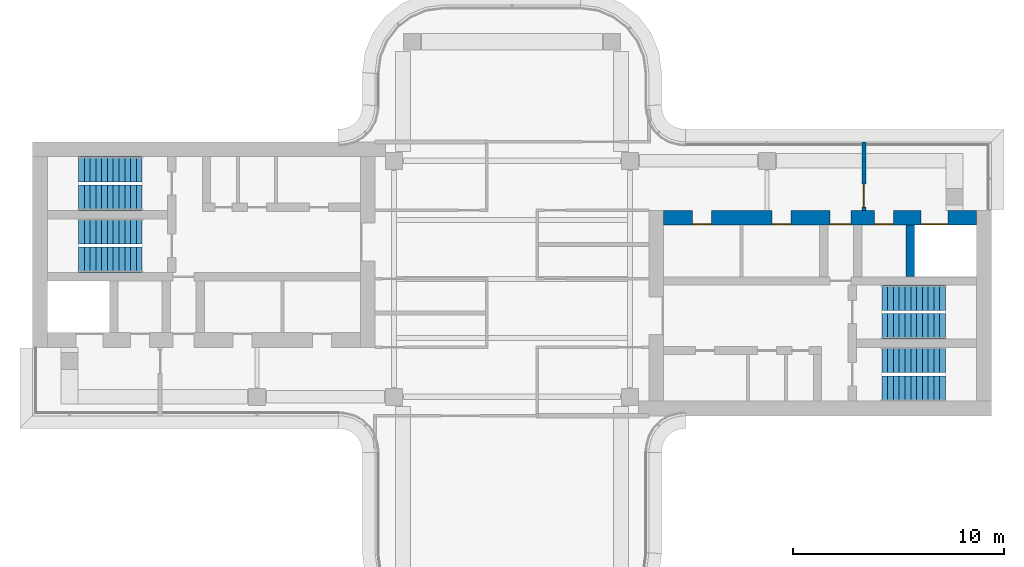
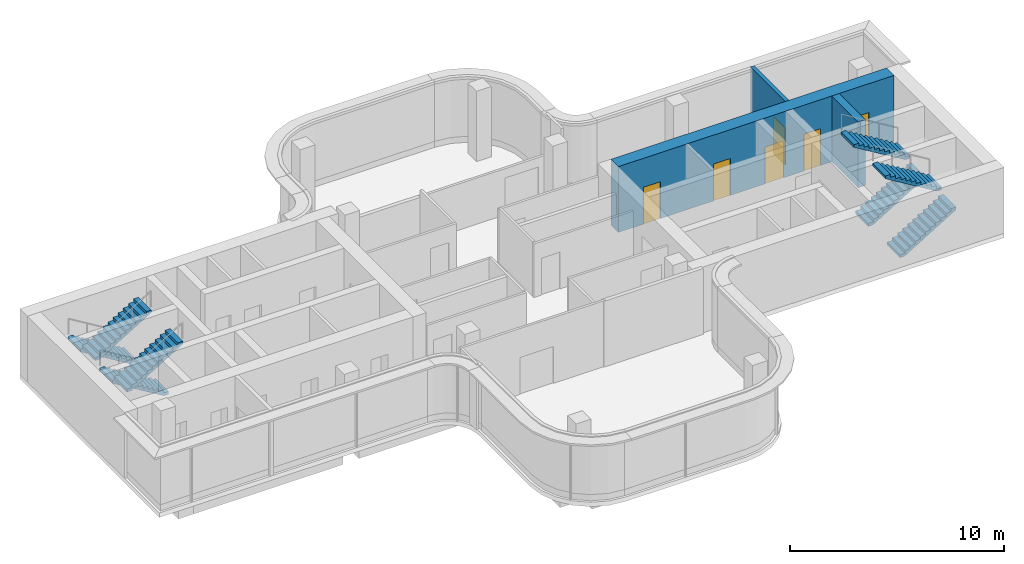
# One storey, part 9 of 10: 8 stair flights, 6 doors, 3 walls, 6 openings, 4 elements without a shape of their own.
"""IFC4 building model written with IfcOpenShell, lengths in metres."""

import ifcopenshell
import ifcopenshell.guid

model = None  # the IFC model being written
_history = None  # IfcOwnerHistory: only IFC2X3 demands one
_inside = {}  # id of a spatial element -> (the spatial element, [elements in it])
_under = {}  # id of a project, library or spatial element -> (it, [spatial elements below it])
_declared = {}  # id of a project -> (the project, [libraries it declares])
_typed = {}  # id of a type object -> (the type object, [elements of that type])
_made_of = {}  # id of a material, layer set ... -> (it, [elements and type objects made of it])


def new_model(schema):
    """Start an empty IFC model of exactly this schema.

    Asked for "IFC4X3", IfcOpenShell would pick the latest addendum, in which some entities
    have other attributes; the version numbers below select the first issue.
    IFC2X3 requires an IfcOwnerHistory on every rooted entity: one is made here for all.
    """
    global model, _history
    if schema == "IFC4X3":
        model = ifcopenshell.file(schema_version=(4, 3, 0, 0))
    else:
        model = ifcopenshell.file(schema=schema)
    _inside.clear()
    _under.clear()
    _declared.clear()
    _typed.clear()
    _made_of.clear()
    _history = None
    if model.schema == "IFC2X3":
        org = make("IfcOrganization", Name="unknown")
        user = make(
            "IfcPersonAndOrganization",
            ThePerson=make("IfcPerson", FamilyName="unknown"),
            TheOrganization=org,
        )
        app = make(
            "IfcApplication",
            ApplicationDeveloper=org,
            Version="unknown",
            ApplicationFullName="unknown",
            ApplicationIdentifier="unknown",
        )
        _history = make(
            "IfcOwnerHistory",
            OwningUser=user,
            OwningApplication=app,
            ChangeAction="ADDED",
            CreationDate=0,
        )
    return model


def make(cls, **values):
    """One entity of the class cls with the attributes given. An attribute that is None is left unset."""
    return model.create_entity(
        cls, **{name: value for name, value in values.items() if value is not None}
    )


def rooted(cls, **values):
    """An entity with a GlobalId (a new one), such as an element, a storey or a relation."""
    return make(cls, GlobalId=ifcopenshell.guid.new(), OwnerHistory=_history, **values)


def si_unit(unit_type, name, prefix=None):
    """IfcSIUnit, for example si_unit("LENGTHUNIT", "METRE", prefix="MILLI")."""
    return make("IfcSIUnit", UnitType=unit_type, Prefix=prefix, Name=name)


def assignment(units):
    """IfcUnitAssignment: the units of a project."""
    return None if units is None else make("IfcUnitAssignment", Units=units)


def point(xyz):
    """IfcCartesianPoint."""
    return None if xyz is None else make("IfcCartesianPoint", Coordinates=xyz)


def direction(xyz):
    """IfcDirection."""
    return None if xyz is None else make("IfcDirection", DirectionRatios=xyz)


def frame(location, z_axis=None, x_axis=None):
    """IfcAxis2Placement3D, a coordinate frame: its origin and axes. An axis left out is left unset."""
    return make(
        "IfcAxis2Placement3D",
        Location=point(location),
        Axis=direction(z_axis),
        RefDirection=direction(x_axis),
    )


def frame_2d(location, x_axis=None):
    """IfcAxis2Placement2D, a coordinate frame in the plane: its origin and x axis."""
    return make(
        "IfcAxis2Placement2D", Location=point(location), RefDirection=direction(x_axis)
    )


def origin():
    """The frame at (0, 0, 0) with its axes left unset."""
    return frame((0.0, 0.0, 0.0))


def place(relative_to, where):
    """IfcLocalPlacement: puts the frame where relative to a parent placement (None: the world)."""
    return make(
        "IfcLocalPlacement", PlacementRelTo=relative_to, RelativePlacement=where
    )


def context(
    kind, dimensions, precision=None, world=None, true_north=None, identifier=None
):
    """IfcGeometricRepresentationContext, for example the 3D "Model" context."""
    return make(
        "IfcGeometricRepresentationContext",
        ContextIdentifier=identifier,
        ContextType=kind,
        CoordinateSpaceDimension=dimensions,
        Precision=precision,
        WorldCoordinateSystem=world,
        TrueNorth=true_north,
    )


def subcontext(parent, identifier, kind, view, scale=None):
    """IfcGeometricRepresentationSubContext, for example "Body" below "Model"."""
    return make(
        "IfcGeometricRepresentationSubContext",
        ContextIdentifier=identifier,
        ContextType=kind,
        ParentContext=parent,
        TargetScale=scale,
        TargetView=view,
    )


def project(units=None, contexts=None):
    """IfcProject with its units and contexts."""
    return rooted(
        "IfcProject",
        Name="project",
        RepresentationContexts=contexts,
        UnitsInContext=assignment(units),
    )


def spatial(cls, under=None, at=None, **own):
    """A site, building, storey or space (cls), placed at a placement, below another one or the project."""
    s = rooted(cls, ObjectPlacement=at, **own)
    if under is not None:
        _under.setdefault(under.id(), (under, []))[1].append(s)
    return s


def polyline(points):
    """IfcPolyline through the points."""
    return make("IfcPolyline", Points=[point(p) for p in points])


def profile(cls, at=None, kind="AREA", **sizes):
    """A parametric profile (cls). Its sizes go by their IFC names, for example OverallWidth=200.0."""
    return make(cls, ProfileType=kind, Position=at, **sizes)


def rectangle(**sizes):
    """IfcRectangleProfileDef."""
    return profile("IfcRectangleProfileDef", **sizes)


def outline(outer, holes=None, kind="AREA"):
    """IfcArbitraryClosedProfileDef: a profile drawn as a closed curve; with holes, ...WithVoids."""
    if holes is None:
        return make("IfcArbitraryClosedProfileDef", ProfileType=kind, OuterCurve=outer)
    return make(
        "IfcArbitraryProfileDefWithVoids",
        ProfileType=kind,
        OuterCurve=outer,
        InnerCurves=holes,
    )


def extrude(swept, where, along, depth):
    """IfcExtrudedAreaSolid: the profile swept, set in the frame where, extruded along a direction by depth."""
    return make(
        "IfcExtrudedAreaSolid",
        SweptArea=swept,
        Position=where,
        ExtrudedDirection=direction(along),
        Depth=depth,
    )


def shape(context_of_items, identifier, shape_type, items):
    """IfcShapeRepresentation: the items that make up one representation, for example the "Body"."""
    return make(
        "IfcShapeRepresentation",
        ContextOfItems=context_of_items,
        RepresentationIdentifier=identifier,
        RepresentationType=shape_type,
        Items=items,
    )


def source(mapping_origin, context_of_items, identifier, shape_type, items):
    """IfcRepresentationMap: a shape defined once, which mapped items show again and again."""
    return make(
        "IfcRepresentationMap",
        MappingOrigin=mapping_origin,
        MappedRepresentation=shape(context_of_items, identifier, shape_type, items),
    )


def transform(
    local_origin,
    x_axis=None,
    y_axis=None,
    z_axis=None,
    scale=None,
    scale2=None,
    scale3=None,
    uniform=True,
):
    """IfcCartesianTransformationOperator3D, or its non-uniform kind. x_axis, y_axis, z_axis: its Axis1, 2, 3."""
    if uniform:
        return make(
            "IfcCartesianTransformationOperator3D",
            Axis1=direction(x_axis),
            Axis2=direction(y_axis),
            LocalOrigin=point(local_origin),
            Scale=scale,
            Axis3=direction(z_axis),
        )
    return make(
        "IfcCartesianTransformationOperator3DnonUniform",
        Axis1=direction(x_axis),
        Axis2=direction(y_axis),
        LocalOrigin=point(local_origin),
        Scale=scale,
        Axis3=direction(z_axis),
        Scale2=scale2,
        Scale3=scale3,
    )


def mapped(mapping_source, mapping_target):
    """IfcMappedItem: shows the shape of a source again, moved by a transform."""
    return make(
        "IfcMappedItem", MappingSource=mapping_source, MappingTarget=mapping_target
    )


def material(Name=None, Category=None):
    """IfcMaterial."""
    return make("IfcMaterial", Name=Name, Category=Category)


def layer(
    of_material, thickness, ventilated=None, Name=None, Category=None, Priority=None
):
    """IfcMaterialLayer: one layer of a wall or slab, of a material (None: an air gap)."""
    return make(
        "IfcMaterialLayer",
        Material=of_material,
        LayerThickness=thickness,
        IsVentilated=ventilated,
        Name=Name,
        Category=Category,
        Priority=Priority,
    )


def layer_set(layers, Name=None):
    """IfcMaterialLayerSet."""
    return make("IfcMaterialLayerSet", MaterialLayers=layers, LayerSetName=Name)


def made_of(thing, what):
    """Note that an element or type object is made of a material, layer set ...; save() writes the relation."""
    if what is not None:
        _made_of.setdefault(what.id(), (what, []))[1].append(thing)
    return thing


def type_object(cls, material=None, **own):
    """A type object (cls), such as IfcWallType, which elements share."""
    return made_of(rooted(cls, **own), material)


def element(
    cls,
    number,
    at=None,
    inside=None,
    cuts=None,
    type_object=None,
    material=None,
    context=None,
    identifier="Body",
    shape_type=None,
    held_by="IfcProductDefinitionShape",
    body=None,
    shapes=None,
    **own,
):
    """One element of the class cls, such as IfcWall. Its Tag is "e" and its number.

    at: its placement. inside: the storey or other place that contains it. cuts: it is an
    opening in that element (IfcRelVoidsElement). A single representation is given by context,
    identifier, shape_type and body (its items); several are given by shapes. held_by: the class
    of the entity that holds the representations. save() writes the other relations.
    """
    e = rooted(cls, Tag="e%d" % number, ObjectPlacement=at, **own)
    if body is not None:
        shapes = [shape(context, identifier, shape_type, body)]
    if shapes is not None:
        e.Representation = make(held_by, Representations=shapes)
    if inside is not None:
        _inside.setdefault(inside.id(), (inside, []))[1].append(e)
    if cuts is not None:
        rooted(
            "IfcRelVoidsElement", RelatingBuildingElement=cuts, RelatedOpeningElement=e
        )
    if type_object is not None:
        _typed.setdefault(type_object.id(), (type_object, []))[1].append(e)
    return made_of(e, material)


def fill(opening, filler):
    """IfcRelFillsElement: the door or window that sits in an opening."""
    return rooted(
        "IfcRelFillsElement",
        RelatingOpeningElement=opening,
        RelatedBuildingElement=filler,
    )


def aggregate(whole, parts):
    """IfcRelAggregates: a whole, such as a stair, and the parts it consists of."""
    return rooted("IfcRelAggregates", RelatingObject=whole, RelatedObjects=parts)


def save(model, path):
    """Write the relations noted so far, then the file.

    IfcRelAggregates (storeys below a building ...), IfcRelContainedInSpatialStructure (elements
    in a storey), IfcRelDefinesByType, IfcRelAssociatesMaterial and IfcRelDeclares: one each for
    every whole, place, type object, material and project.
    """
    for whole, parts in _under.values():
        aggregate(whole, parts)
    for where, things in _inside.values():
        rooted(
            "IfcRelContainedInSpatialStructure",
            RelatedElements=things,
            RelatingStructure=where,
        )
    for kind, things in _typed.values():
        rooted("IfcRelDefinesByType", RelatedObjects=things, RelatingType=kind)
    for what, things in _made_of.values():
        rooted("IfcRelAssociatesMaterial", RelatedObjects=things, RelatingMaterial=what)
    for by, libraries in _declared.values():
        rooted("IfcRelDeclares", RelatingContext=by, RelatedDefinitions=libraries)
    model.write(path)


model = new_model("IFC4")

# Units and contexts
model_context = context("Model", 3, precision=1e-05, world=origin(), true_north=direction((0.0, 1.0)))
body_context = subcontext(model_context, "Body", "Model", "MODEL_VIEW")
ifc_project = project(units=[si_unit("LENGTHUNIT", "METRE"), si_unit("AREAUNIT", "SQUARE_METRE"), si_unit("VOLUMEUNIT", "CUBIC_METRE"), si_unit("PLANEANGLEUNIT", "RADIAN"), si_unit("MASSUNIT", "GRAM", prefix="KILO")], contexts=[model_context])

# Site, building, storey
site_placement = place(None, origin())
site = spatial("IfcSite", under=ifc_project, at=site_placement, CompositionType="ELEMENT")
building_placement = place(site_placement, origin())
building = spatial("IfcBuilding", under=site, at=building_placement, Name="Trellis Farm Tower", CompositionType="ELEMENT")
storey_placement = place(building_placement, frame((0.0, 0.0, 350.10009765625)))
storey = spatial("IfcBuildingStorey", under=building, at=storey_placement, Name="L79", CompositionType="ELEMENT", Elevation=350.10009765625)

# Wall
ifc_material_1 = material(Name="Concrete C50/60", Category="concrete")
ifc_layer_1 = layer(ifc_material_1, 0.39990234375)
ifc_layer_set_1 = layer_set([ifc_layer_1], Name="CORE INNER WALL 400 CONCRETE C50/60")
wall_type_1 = type_object("IfcWallType", Name="CORE INNER WALL 400 CONCRETE C50/60", PredefinedType="SHEAR", material=ifc_layer_set_1)
shared_shape_1 = source(origin(), body_context, "Body", "SweptSolid", [
    extrude(rectangle(XDim=2.449951171875, YDim=0.39990234375, at=frame_2d((1.22509765625, 0.0))), origin(), (0.0, 0.0, 1.0), 3.75),
])
wall_1_placement = place(storey_placement, frame((18.89990234375, 0.10009765625, 0.0), z_axis=(0.0, 0.0, 1.0), x_axis=(0.0, 1.0, 0.0)))
element("IfcWall", 1, at=wall_1_placement, inside=storey, type_object=wall_type_1, Name="Core wall", PredefinedType="SHEAR", context=body_context, shape_type="MappedRepresentation", body=[
    mapped(shared_shape_1, transform((0.0, 0.0, 0.0))),
])

# Wall, openings, doors
ifc_layer_2 = layer(ifc_material_1, 0.699951171875)
ifc_layer_set_2 = layer_set([ifc_layer_2], Name="CORE OUTER WALL 700 CONCRETE C50/60")
wall_type_2 = type_object("IfcWallType", Name="CORE OUTER WALL 700 CONCRETE C50/60", PredefinedType="SHEAR", material=ifc_layer_set_2)
shared_shape_2 = source(origin(), body_context, "Body", "SweptSolid", [
    extrude(rectangle(XDim=14.85009765625, YDim=0.699951171875, at=frame_2d((7.425048828125, 0.0))), origin(), (0.0, 0.0, 1.0), 3.75),
])
wall_2_placement = place(storey_placement, frame((7.199951171875, 2.89990234375, 0.0), z_axis=(0.0, 0.0, 1.0), x_axis=(1.0, 0.0, 0.0)))
wall_2 = element("IfcWall", 2, at=wall_2_placement, inside=storey, type_object=wall_type_2, Name="Core wall", PredefinedType="SHEAR", context=body_context, shape_type="MappedRepresentation", body=[
    mapped(shared_shape_2, transform((0.0, 0.0, 0.0))),
])
shared_shape_3 = source(origin(), body_context, "Body", "SweptSolid", [
    extrude(rectangle(XDim=1.300048828125, YDim=2.10009765625, at=frame_2d((0.64990234375, 1.050048828125))), frame((0.0, 0.360107421875, 0.0), z_axis=(0.0, -1.0, 0.0), x_axis=(1.0, 0.0, 0.0)), (0.0, 0.0, 1.0), 0.72021484375),
])
opening_1_placement = place(wall_2_placement, frame((12.199951171875, 0.0, 0.0)))
opening_1 = element("IfcOpeningElement", 3, at=opening_1_placement, cuts=wall_2, Name="Opening LD7", PredefinedType="OPENING", context=body_context, shape_type="MappedRepresentation", body=[
    mapped(shared_shape_3, transform((0.0, 0.0, 0.0))),
])
shared_shape_4 = source(origin(), body_context, "Body", "SweptSolid", [
    extrude(rectangle(XDim=1.0, YDim=2.10009765625, at=frame_2d((0.5, 1.050048828125))), frame((0.0, 0.360107421875, 0.0), z_axis=(0.0, -1.0, 0.0), x_axis=(1.0, 0.0, 0.0)), (0.0, 0.0, 1.0), 0.72021484375),
])
opening_2_placement = place(wall_2_placement, frame((7.89990234375, 0.0, 0.0)))
opening_2 = element("IfcOpeningElement", 4, at=opening_2_placement, cuts=wall_2, Name="Opening DC6", PredefinedType="OPENING", context=body_context, shape_type="MappedRepresentation", body=[
    mapped(shared_shape_4, transform((0.0, 0.0, 0.0))),
])
shared_shape_5 = source(origin(), body_context, "Body", "SweptSolid", [
    extrude(rectangle(XDim=0.89990234375, YDim=2.10009765625, at=frame_2d((0.449951171875, 1.050048828125))), frame((0.0, 0.360107421875, 0.0), z_axis=(0.0, -1.0, 0.0), x_axis=(1.0, 0.0, 0.0)), (0.0, 0.0, 1.0), 0.72021484375),
])
opening_3_placement = place(wall_2_placement, frame((1.362548828125, 0.0, 0.0)))
opening_3 = element("IfcOpeningElement", 5, at=opening_3_placement, cuts=wall_2, Name="Opening DC12", PredefinedType="OPENING", context=body_context, shape_type="MappedRepresentation", body=[
    mapped(shared_shape_5, transform((0.0, 0.0, 0.0))),
])
opening_4_placement = place(wall_2_placement, frame((5.137451171875, 0.0, 0.0)))
opening_4 = element("IfcOpeningElement", 6, at=opening_4_placement, cuts=wall_2, Name="Opening DC17", PredefinedType="OPENING", context=body_context, shape_type="MappedRepresentation", body=[
    mapped(shared_shape_5, transform((0.0, 0.0, 0.0))),
])
opening_5_placement = place(wall_2_placement, frame((10.0, 0.0, 0.0)))
opening_5 = element("IfcOpeningElement", 7, at=opening_5_placement, cuts=wall_2, Name="Opening DC48", PredefinedType="OPENING", context=body_context, shape_type="MappedRepresentation", body=[
    mapped(shared_shape_5, transform((0.0, 0.0, 0.0))),
])
ifc_material_2 = material(Name="Steel", Category="steel")
door_type_1 = type_object("IfcDoorType", Name="CORE FIRE DOOR 1000 X 2100", OperationType="NOTDEFINED", PredefinedType="DOOR", material=ifc_material_2)
shared_shape_6 = source(origin(), body_context, "Body", "SweptSolid", [
    extrude(rectangle(XDim=1.0, YDim=2.10009765625, at=frame_2d((0.5, 1.050048828125))), frame((0.0, -0.27490234375, 0.0), z_axis=(0.0, -1.0, 0.0), x_axis=(1.0, 0.0, 0.0)), (0.0, 0.0, 1.0), 0.050048828125),
])
door_1_placement = place(opening_2_placement, origin())
door_1 = element("IfcDoor", 8, at=door_1_placement, inside=storey, type_object=door_type_1, Name="Core door", OperationType="SINGLE_SWING_LEFT", OverallHeight=2.10009765625, OverallWidth=1.0, PredefinedType="DOOR", context=body_context, shape_type="MappedRepresentation", body=[
    mapped(shared_shape_6, transform((0.0, 0.0, 0.0))),
])
fill(opening_2, door_1)
door_type_2 = type_object("IfcDoorType", Name="CORE FIRE DOOR 900 X 2100", OperationType="NOTDEFINED", PredefinedType="DOOR", material=ifc_material_2)
shared_shape_7 = source(origin(), body_context, "Body", "SweptSolid", [
    extrude(rectangle(XDim=0.89990234375, YDim=2.10009765625, at=frame_2d((0.449951171875, 1.050048828125))), frame((0.0, -0.27490234375, 0.0), z_axis=(0.0, -1.0, 0.0), x_axis=(1.0, 0.0, 0.0)), (0.0, 0.0, 1.0), 0.050048828125),
])
door_2_placement = place(opening_3_placement, origin())
door_2 = element("IfcDoor", 9, at=door_2_placement, inside=storey, type_object=door_type_2, Name="Core door", OperationType="SINGLE_SWING_RIGHT", OverallHeight=2.10009765625, OverallWidth=0.89990234375, PredefinedType="DOOR", context=body_context, shape_type="MappedRepresentation", body=[
    mapped(shared_shape_7, transform((0.0, 0.0, 0.0))),
])
fill(opening_3, door_2)
door_3_placement = place(opening_4_placement, origin())
door_3 = element("IfcDoor", 10, at=door_3_placement, inside=storey, type_object=door_type_2, Name="Core door", OperationType="SINGLE_SWING_LEFT", OverallHeight=2.10009765625, OverallWidth=0.89990234375, PredefinedType="DOOR", context=body_context, shape_type="MappedRepresentation", body=[
    mapped(shared_shape_7, transform((0.0, 0.0, 0.0))),
])
fill(opening_4, door_3)
door_4_placement = place(opening_5_placement, origin())
door_4 = element("IfcDoor", 11, at=door_4_placement, inside=storey, type_object=door_type_2, Name="Core door", OperationType="SINGLE_SWING_RIGHT", OverallHeight=2.10009765625, OverallWidth=0.89990234375, PredefinedType="DOOR", context=body_context, shape_type="MappedRepresentation", body=[
    mapped(shared_shape_7, transform((0.0, 0.0, 0.0))),
])
fill(opening_5, door_4)
ifc_material_3 = material(Name="Stainless steel", Category="steel")
door_type_3 = type_object("IfcDoorType", Name="LIFT LANDING DOOR 1300 X 2100", OperationType="DOUBLE_DOOR_SLIDING", PredefinedType="DOOR", material=ifc_material_3)
shared_shape_8 = source(origin(), body_context, "Body", "SweptSolid", [
    extrude(rectangle(XDim=1.300048828125, YDim=2.10009765625, at=frame_2d((0.64990234375, 1.050048828125))), frame((0.0, -0.27490234375, 0.0), z_axis=(0.0, -1.0, 0.0), x_axis=(1.0, 0.0, 0.0)), (0.0, 0.0, 1.0), 0.050048828125),
])
door_5_placement = place(opening_1_placement, origin())
door_5 = element("IfcDoor", 12, at=door_5_placement, inside=storey, type_object=door_type_3, Name="Lift landing door", OperationType="DOUBLE_DOOR_SLIDING", OverallHeight=2.10009765625, OverallWidth=1.300048828125, PredefinedType="DOOR", context=body_context, shape_type="MappedRepresentation", body=[
    mapped(shared_shape_8, transform((0.0, 0.0, 0.0))),
])
fill(opening_1, door_5)

# Wall, opening, door
ifc_material_4 = material(Name="Masonry blockwork", Category="masonry")
ifc_layer_3 = layer(ifc_material_4, 0.199951171875)
ifc_layer_set_3 = layer_set([ifc_layer_3], Name="FIRE LOBBY PARTITION 200 BLOCKWORK")
wall_type_3 = type_object("IfcWallType", Name="FIRE LOBBY PARTITION 200 BLOCKWORK", PredefinedType="PARTITIONING", material=ifc_layer_set_3)
shared_shape_9 = source(origin(), body_context, "Body", "SweptSolid", [
    extrude(rectangle(XDim=3.25, YDim=0.199951171875, at=frame_2d((1.625, 0.0))), origin(), (0.0, 0.0, 1.0), 3.75),
])
wall_3_placement = place(storey_placement, frame((16.699951171875, 3.25, 0.0), z_axis=(0.0, 0.0, 1.0), x_axis=(0.0, 1.0, 0.0)))
wall_3 = element("IfcWall", 13, at=wall_3_placement, inside=storey, type_object=wall_type_3, Name="Fire-fighting lobby partition", PredefinedType="PARTITIONING", context=body_context, shape_type="MappedRepresentation", body=[
    mapped(shared_shape_9, transform((0.0, 0.0, 0.0))),
])
shared_shape_10 = source(origin(), body_context, "Body", "SweptSolid", [
    extrude(rectangle(XDim=1.10009765625, YDim=2.10009765625, at=frame_2d((0.550048828125, 1.050048828125))), frame((0.0, 0.110107421875, 0.0), z_axis=(0.0, -1.0, 0.0), x_axis=(1.0, 0.0, 0.0)), (0.0, 0.0, 1.0), 0.22021484375),
])
opening_6_placement = place(wall_3_placement, frame((0.14990234375, 0.0, 0.0)))
opening_6 = element("IfcOpeningElement", 14, at=opening_6_placement, cuts=wall_3, Name="Opening DC7", PredefinedType="OPENING", context=body_context, shape_type="MappedRepresentation", body=[
    mapped(shared_shape_10, transform((0.0, 0.0, 0.0))),
])
door_type_4 = type_object("IfcDoorType", Name="CORE FIRE DOOR 1100 X 2100", OperationType="NOTDEFINED", PredefinedType="DOOR", material=ifc_material_2)
shared_shape_11 = source(origin(), body_context, "Body", "SweptSolid", [
    extrude(rectangle(XDim=1.10009765625, YDim=2.10009765625, at=frame_2d((0.550048828125, 1.050048828125))), frame((0.0, 0.02490234375, 0.0), z_axis=(0.0, -1.0, 0.0), x_axis=(1.0, 0.0, 0.0)), (0.0, 0.0, 1.0), 0.050048828125),
])
door_6_placement = place(opening_6_placement, origin())
door_6 = element("IfcDoor", 15, at=door_6_placement, inside=storey, type_object=door_type_4, Name="Core door", OperationType="SINGLE_SWING_RIGHT", OverallHeight=2.10009765625, OverallWidth=1.10009765625, PredefinedType="DOOR", context=body_context, shape_type="MappedRepresentation", body=[
    mapped(shared_shape_11, transform((0.0, 0.0, 0.0))),
])
fill(opening_6, door_6)

# Stair, stair flights
stair_type = type_object("IfcStairType", Name="CORE EXIT STAIR 24 RISERS 167 MM", PredefinedType="HALF_TURN_STAIR", material=ifc_material_1)
placement = place(storey_placement, origin())
stair_1 = element("IfcStair", 16, at=placement, inside=storey, type_object=stair_type, Name="Exit stair E1", PredefinedType="HALF_TURN_STAIR")
stair_flight_type = type_object("IfcStairFlightType", Name="STAIR FLIGHT 12 RISERS 167 MM", PredefinedType="STRAIGHT", material=ifc_material_1)
shared_shape_12 = source(origin(), body_context, "Body", "SweptSolid", [
    extrude(outline(polyline([(0.0, 0.0), (0.0, 0.166748046875), (0.27490234375, 0.166748046875), (0.27490234375, 0.333251953125), (0.550048828125, 0.333251953125), (0.550048828125, 0.5), (0.824951171875, 0.5), (0.824951171875, 0.666748046875), (1.10009765625, 0.666748046875), (1.10009765625, 0.833251953125), (1.375, 0.833251953125), (1.375, 1.0), (1.64990234375, 1.0), (1.64990234375, 1.166748046875), (1.925048828125, 1.166748046875), (1.925048828125, 1.333251953125), (2.199951171875, 1.333251953125), (2.199951171875, 1.5), (2.47509765625, 1.5), (2.47509765625, 1.666748046875), (2.75, 1.666748046875), (2.75, 1.833251953125), (3.02490234375, 1.833251953125), (3.02490234375, 2.0), (3.02490234375, 1.681396484375), (0.25048828125, 0.0), (0.0, 0.0)])), frame((0.0, 0.60009765625, 0.0), z_axis=(0.0, -1.0, 0.0), x_axis=(1.0, 0.0, 0.0)), (0.0, 0.0, 1.0), 1.199951171875),
])
stair_flight_1_placement = place(storey_placement, frame((17.550048828125, -5.199951171875, 0.0), z_axis=(0.0, 0.0, 1.0), x_axis=(1.0, 0.0, 0.0)))
stair_flight_1 = element("IfcStairFlight", 17, at=stair_flight_1_placement, type_object=stair_flight_type, Name="STE1 flight 1", NumberOfRisers=12, NumberOfTreads=11, PredefinedType="STRAIGHT", RiserHeight=0.166666667, TreadLength=0.275, context=body_context, shape_type="MappedRepresentation", body=[
    mapped(shared_shape_12, transform((0.0, 0.0, 0.0))),
])
stair_flight_2_placement = place(storey_placement, frame((20.574951171875, -3.85009765625, 2.0), z_axis=(0.0, 0.0, 1.0), x_axis=(-1.0, 0.0, 0.0)))
stair_flight_2 = element("IfcStairFlight", 18, at=stair_flight_2_placement, type_object=stair_flight_type, Name="STE1 flight 2", NumberOfRisers=12, NumberOfTreads=11, PredefinedType="STRAIGHT", RiserHeight=0.166666667, TreadLength=0.275, context=body_context, shape_type="MappedRepresentation", body=[
    mapped(shared_shape_12, transform((0.0, 0.0, 0.0))),
])
aggregate(stair_1, [stair_flight_1, stair_flight_2])

stair_2 = element("IfcStair", 19, at=placement, inside=storey, type_object=stair_type, Name="Exit stair E2", PredefinedType="HALF_TURN_STAIR")
stair_flight_3_placement = place(storey_placement, frame((17.550048828125, -2.25, 0.0), z_axis=(0.0, 0.0, 1.0), x_axis=(1.0, 0.0, 0.0)))
stair_flight_3 = element("IfcStairFlight", 20, at=stair_flight_3_placement, type_object=stair_flight_type, Name="STE2 flight 1", NumberOfRisers=12, NumberOfTreads=11, PredefinedType="STRAIGHT", RiserHeight=0.166666667, TreadLength=0.275, context=body_context, shape_type="MappedRepresentation", body=[
    mapped(shared_shape_12, transform((0.0, 0.0, 0.0))),
])
stair_flight_4_placement = place(storey_placement, frame((20.574951171875, -0.89990234375, 2.0), z_axis=(0.0, 0.0, 1.0), x_axis=(-1.0, 0.0, 0.0)))
stair_flight_4 = element("IfcStairFlight", 21, at=stair_flight_4_placement, type_object=stair_flight_type, Name="STE2 flight 2", NumberOfRisers=12, NumberOfTreads=11, PredefinedType="STRAIGHT", RiserHeight=0.166666667, TreadLength=0.275, context=body_context, shape_type="MappedRepresentation", body=[
    mapped(shared_shape_12, transform((0.0, 0.0, 0.0))),
])
aggregate(stair_2, [stair_flight_3, stair_flight_4])

stair_3 = element("IfcStair", 22, at=placement, inside=storey, type_object=stair_type, Name="Exit stair W1", PredefinedType="HALF_TURN_STAIR")
stair_flight_5_placement = place(storey_placement, frame((-17.550048828125, 5.199951171875, 0.0), z_axis=(0.0, 0.0, 1.0), x_axis=(-1.0, 0.0, 0.0)))
stair_flight_5 = element("IfcStairFlight", 23, at=stair_flight_5_placement, type_object=stair_flight_type, Name="STW1 flight 1", NumberOfRisers=12, NumberOfTreads=11, PredefinedType="STRAIGHT", RiserHeight=0.166666667, TreadLength=0.275, context=body_context, shape_type="MappedRepresentation", body=[
    mapped(shared_shape_12, transform((0.0, 0.0, 0.0))),
])
stair_flight_6_placement = place(storey_placement, frame((-20.574951171875, 3.85009765625, 2.0), z_axis=(0.0, 0.0, 1.0), x_axis=(1.0, 0.0, 0.0)))
stair_flight_6 = element("IfcStairFlight", 24, at=stair_flight_6_placement, type_object=stair_flight_type, Name="STW1 flight 2", NumberOfRisers=12, NumberOfTreads=11, PredefinedType="STRAIGHT", RiserHeight=0.166666667, TreadLength=0.275, context=body_context, shape_type="MappedRepresentation", body=[
    mapped(shared_shape_12, transform((0.0, 0.0, 0.0))),
])
aggregate(stair_3, [stair_flight_5, stair_flight_6])

stair_4 = element("IfcStair", 25, at=placement, inside=storey, type_object=stair_type, Name="Exit stair W2", PredefinedType="HALF_TURN_STAIR")
stair_flight_7_placement = place(storey_placement, frame((-17.550048828125, 2.25, 0.0), z_axis=(0.0, 0.0, 1.0), x_axis=(-1.0, 0.0, 0.0)))
stair_flight_7 = element("IfcStairFlight", 26, at=stair_flight_7_placement, type_object=stair_flight_type, Name="STW2 flight 1", NumberOfRisers=12, NumberOfTreads=11, PredefinedType="STRAIGHT", RiserHeight=0.166666667, TreadLength=0.275, context=body_context, shape_type="MappedRepresentation", body=[
    mapped(shared_shape_12, transform((0.0, 0.0, 0.0))),
])
stair_flight_8_placement = place(storey_placement, frame((-20.574951171875, 0.89990234375, 2.0), z_axis=(0.0, 0.0, 1.0), x_axis=(1.0, 0.0, 0.0)))
stair_flight_8 = element("IfcStairFlight", 27, at=stair_flight_8_placement, type_object=stair_flight_type, Name="STW2 flight 2", NumberOfRisers=12, NumberOfTreads=11, PredefinedType="STRAIGHT", RiserHeight=0.166666667, TreadLength=0.275, context=body_context, shape_type="MappedRepresentation", body=[
    mapped(shared_shape_12, transform((0.0, 0.0, 0.0))),
])
aggregate(stair_4, [stair_flight_7, stair_flight_8])

save(model, "model.ifc")
